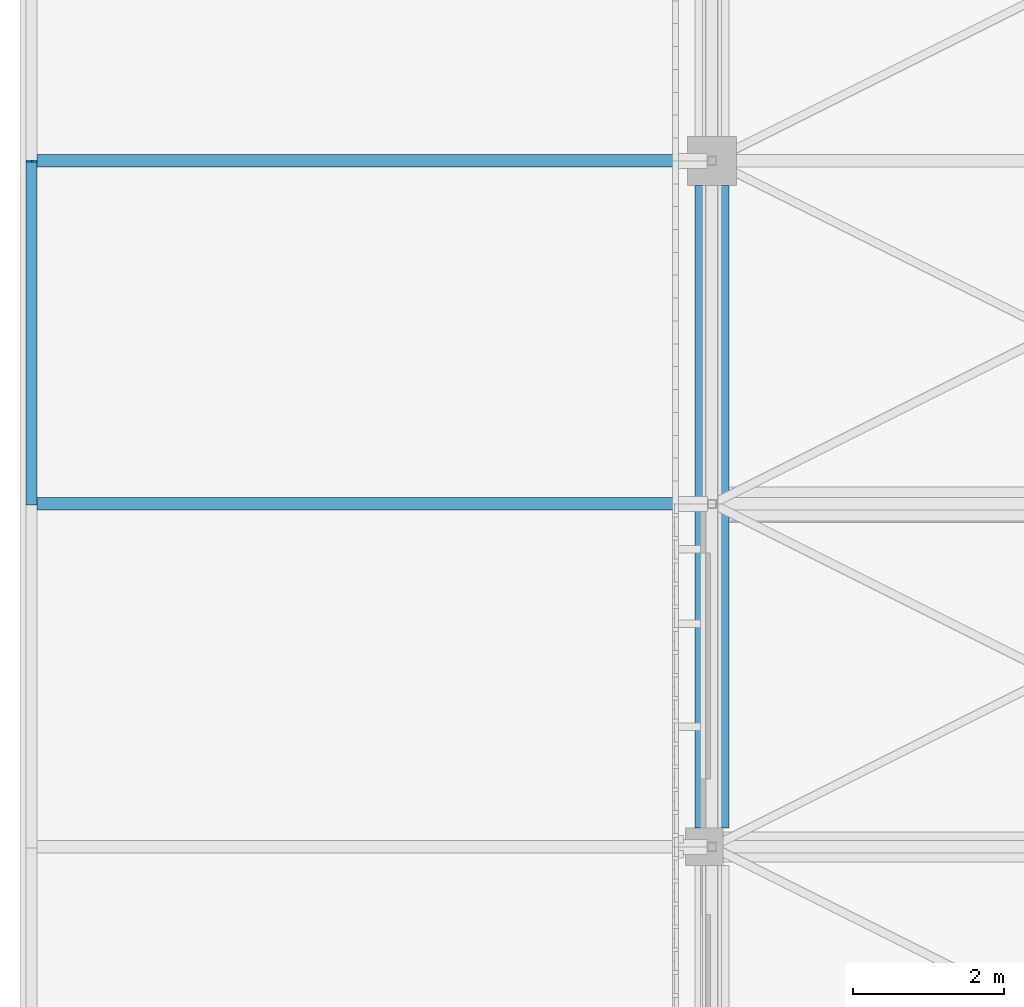
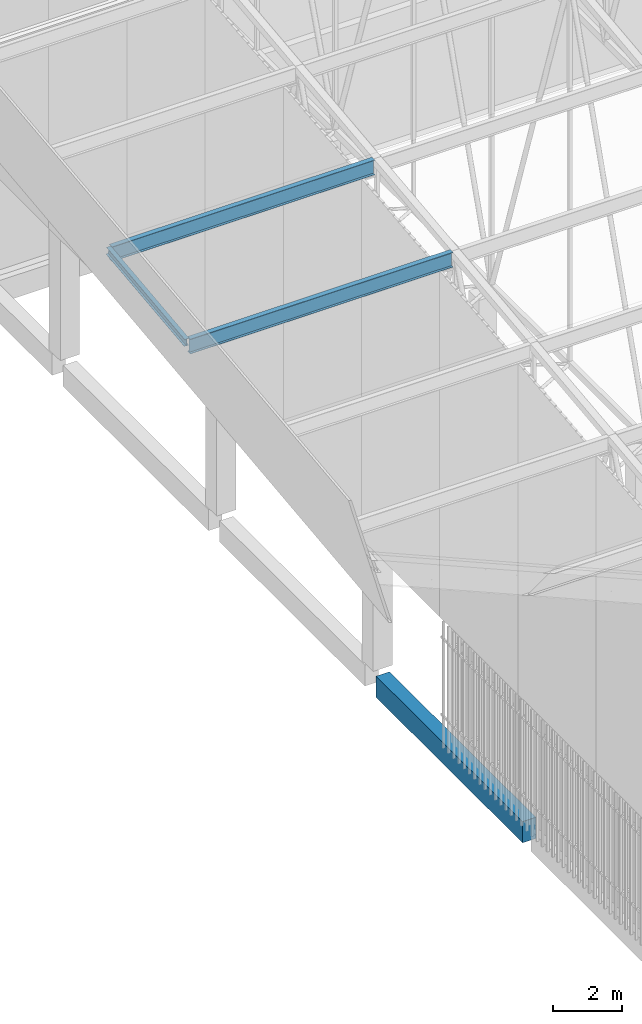
# One storey, part 60 of 500: 3 members, 1 beam.
"""IFC4 building model written with IfcOpenShell, lengths in metres."""

from ifc_helpers import new_model, si_unit, direction, frame, origin, origin_2d, place, context, subcontext, project, spatial, rectangle, i_section, extrude, material, material_profile, profile_set, type_object, element, save


model = new_model("IFC4")

# Units and contexts
model_context = context("Model", 3, precision=1e-05, world=origin(), true_north=direction((0.0, 1.0)))
body_context = subcontext(model_context, "Body", "Model", "MODEL_VIEW")
ifc_project = project(units=[si_unit("LENGTHUNIT", "METRE"), si_unit("AREAUNIT", "SQUARE_METRE"), si_unit("VOLUMEUNIT", "CUBIC_METRE"), si_unit("PLANEANGLEUNIT", "RADIAN"), si_unit("MASSUNIT", "GRAM", prefix="KILO")], contexts=[model_context])

# Site, building, storey
site_placement = place(None, origin())
site = spatial("IfcSite", under=ifc_project, at=site_placement, CompositionType="ELEMENT")
building_placement = place(site_placement, origin())
building = spatial("IfcBuilding", under=site, at=building_placement, Name="Shirokan Park Arena", CompositionType="ELEMENT")
storey_placement = place(building_placement, frame((0.0, 0.0, 29.1201171875)))
storey = spatial("IfcBuildingStorey", under=building, at=storey_placement, Name="L06", CompositionType="ELEMENT", Elevation=29.1201171875)

# Members
ifc_material_1 = material(Name="Steel ASTM A992", Category="steel")
ifc_material_profile_1 = material_profile(ifc_material_1, i_section(OverallWidth=0.166015625, OverallDepth=0.528076171875, WebThickness=0.009765625, FlangeThickness=0.013671875, at=origin_2d()), Name="W530X74")
ifc_profile_set_1 = profile_set([ifc_material_profile_1], Name="Steel ASTM A992")
member_type_1 = type_object("IfcMemberType", Name="Purlin W530X74", PredefinedType="PURLIN", material=ifc_profile_set_1)
for number, where, z_axis, x_axis, name in (
    (1, (-8.951904296875, 40.949951171875, 17.165771484375), (1.0, 0.0, 0.0), (0.0, 1.0, 0.0), "Eave purlin west 12"),
    (2, (-8.951904296875, 45.5, 17.685791015625), (1.0, 0.0, 0.0), (0.0, 1.0, 0.0), "Eave purlin west 13"),
):
    element("IfcMember", number, at=place(storey_placement, frame(where, z_axis=z_axis, x_axis=x_axis)), inside=storey, type_object=member_type_1, Name=name, PredefinedType="PURLIN", context=body_context, shape_type="SweptSolid", body=[
        extrude(i_section(OverallWidth=0.166015625, OverallDepth=0.528076171875, WebThickness=0.009765625, FlangeThickness=0.013671875, at=origin_2d()), origin(), (0.0, 0.0, 1.0), 8.824951171875),
    ])

# Beam
ifc_material_2 = material(Name="Concrete C35", Category="concrete")
ifc_material_profile_2 = material_profile(ifc_material_2, rectangle(XDim=0.449951171875, YDim=0.75, at=origin_2d()), Name="450x750")
ifc_profile_set_2 = profile_set([ifc_material_profile_2], Name="Concrete C35")
beam_type = type_object("IfcBeamType", Name="RC girder 450x750", PredefinedType="BEAM", material=ifc_profile_set_2)
beam_placement = place(storey_placement, frame((0.0, 36.650146484375, -0.5751953125), z_axis=(0.0, 1.0, 0.0), x_axis=(-1.0, 0.0, 0.0)))
element("IfcBeam", 3, at=beam_placement, inside=storey, type_object=beam_type, Name="Girder 1E-1F L06", PredefinedType="BEAM", context=body_context, shape_type="SweptSolid", body=[
    extrude(rectangle(XDim=0.449951171875, YDim=0.75, at=origin_2d()), origin(), (0.0, 0.0, 1.0), 8.524658203125),
])

# Member
ifc_material_profile_3 = material_profile(ifc_material_1, i_section(OverallWidth=0.14794921875, OverallDepth=0.26708984375, WebThickness=0.007568359375, FlangeThickness=0.012939453125, at=origin_2d()), Name="W250X44.8")
ifc_profile_set_3 = profile_set([ifc_material_profile_3], Name="Steel ASTM A992")
member_type_2 = type_object("IfcMemberType", Name="Roof edge beam W250X44.8", PredefinedType="USERDEFINED", material=ifc_profile_set_3)
member_placement = place(storey_placement, frame((-9.02587890625, 40.949951171875, 17.29638671875), z_axis=(0.0, 0.993532328996, 0.113549598152), x_axis=(-1.0, 0.0, 0.0)))
element("IfcMember", 4, at=member_placement, inside=storey, type_object=member_type_2, Name="Roof edge beam W 12", ObjectType="ROOF EDGE BEAM", PredefinedType="USERDEFINED", context=body_context, shape_type="SweptSolid", body=[
    extrude(i_section(OverallWidth=0.14794921875, OverallDepth=0.26708984375, WebThickness=0.007568359375, FlangeThickness=0.012939453125, at=origin_2d()), origin(), (0.0, 0.0, 1.0), 4.57958984375),
])

save(model, "model.ifc")
